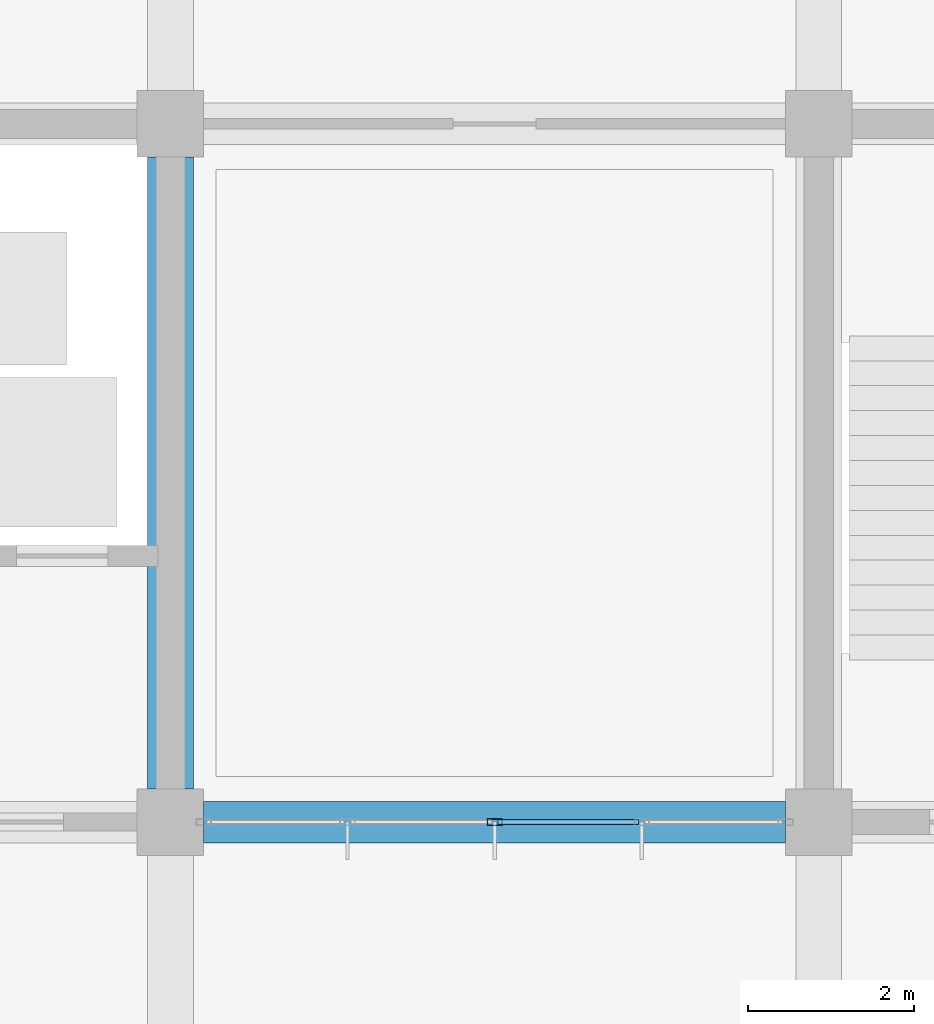
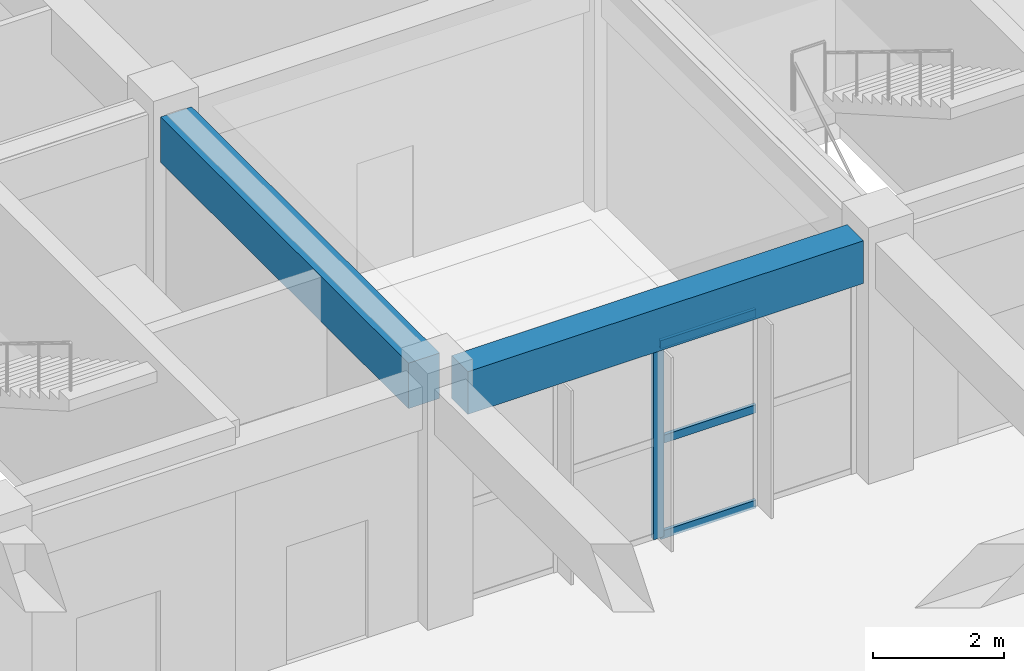
# One storey, part 16 of 139: 4 members, 2 beams, 1 element without a shape of its own.
"""IFC4 building model written with IfcOpenShell, lengths in metres."""

from ifc_helpers import new_model, si_unit, direction, frame, origin, origin_2d, place, context, subcontext, project, spatial, rectangle, hollow_rectangle, extrude, material, layer, layer_set, material_profile, profile_set, type_object, element, aggregate, save


model = new_model("IFC4")

# Units and contexts
model_context = context("Model", 3, precision=1e-05, world=origin(), true_north=direction((0.0, 1.0)))
body_context = subcontext(model_context, "Body", "Model", "MODEL_VIEW")
ifc_project = project(units=[si_unit("LENGTHUNIT", "METRE"), si_unit("AREAUNIT", "SQUARE_METRE"), si_unit("VOLUMEUNIT", "CUBIC_METRE"), si_unit("PLANEANGLEUNIT", "RADIAN"), si_unit("MASSUNIT", "GRAM", prefix="KILO")], contexts=[model_context])

# Site, building, storey
site_placement = place(None, origin())
site = spatial("IfcSite", under=ifc_project, at=site_placement, CompositionType="ELEMENT")
building_placement = place(site_placement, origin())
building = spatial("IfcBuilding", under=site, at=building_placement, Name="Zizhar Promenade General Hospital", CompositionType="ELEMENT")
storey_placement = place(building_placement, origin())
storey = spatial("IfcBuildingStorey", under=building, at=storey_placement, Name="L00", CompositionType="ELEMENT", Elevation=0.0)

# Beams
ifc_material_1 = material(Name="Concrete C35/45", Category="concrete")
ifc_material_profile_1 = material_profile(ifc_material_1, rectangle(XDim=0.5, YDim=0.800048828125, at=origin_2d()))
ifc_profile_set_1 = profile_set([ifc_material_profile_1], Name="Concrete C35/45")
beam_type_1 = type_object("IfcBeamType", Name="BM-RC-500x800", PredefinedType="BEAM", material=ifc_profile_set_1)
beam_1_placement = place(storey_placement, frame((86.199951171875, 8.39990234375, 4.070068359375), z_axis=(1.0, 0.0, 0.0), x_axis=(0.0, 1.0, 0.0)))
element("IfcBeam", 1, at=beam_1_placement, inside=storey, type_object=beam_type_1, Name="Grid Beam X L00 (11-1)", PredefinedType="BEAM", context=body_context, shape_type="SweptSolid", body=[
    extrude(rectangle(XDim=0.5, YDim=0.800048828125, at=origin_2d()), origin(), (0.0, 0.0, 1.0), 7.0),
])
ifc_material_2 = material(Name="Concrete C35/45", Category="concrete")
ifc_material_profile_2 = material_profile(ifc_material_2, rectangle(XDim=0.550048828125, YDim=0.85009765625, at=origin_2d()))
ifc_profile_set_2 = profile_set([ifc_material_profile_2], Name="Concrete C35/45")
beam_type_2 = type_object("IfcBeamType", Name="BM-RC-550x850", PredefinedType="BEAM", material=ifc_profile_set_2)
beam_2_placement = place(storey_placement, frame((85.800048828125, 8.800048828125, 4.044921875), z_axis=(0.0, 1.0, 0.0), x_axis=(-1.0, 0.0, 0.0)))
element("IfcBeam", 2, at=beam_2_placement, inside=storey, type_object=beam_type_2, Name="Grid Beam Y L00 (11-1)", PredefinedType="BEAM", context=body_context, shape_type="SweptSolid", body=[
    extrude(rectangle(XDim=0.550048828125, YDim=0.85009765625, at=origin_2d()), origin(), (0.0, 0.0, 1.0), 7.599853515625),
])

# Curtain wall, members
ifc_material_3 = material(Name="Anodised aluminium 6063-T6 and low-E glass", Category="aluminium")
ifc_layer = layer(ifc_material_3, 0.159912109375)
ifc_layer_set = layer_set([ifc_layer], Name="Anodised aluminium 6063-T6 and low-E glass")
curtain_wall_type = type_object("IfcCurtainWallType", Name="CW-HALL-S", PredefinedType="NOTDEFINED", material=ifc_layer_set)
curtain_wall_placement = place(storey_placement, origin())
curtain_wall = element("IfcCurtainWall", 3, at=curtain_wall_placement, inside=storey, type_object=curtain_wall_type, Name="Promenade Colonnade Curtain Wall Bay 10", PredefinedType="NOTDEFINED")
ifc_material_4 = material(Name="Anodised aluminium 6063-T6", Category="aluminium")
ifc_material_profile_3 = material_profile(ifc_material_4, hollow_rectangle(XDim=0.080078125, YDim=0.179931640625, WallThickness=0.0048828125, at=origin_2d()))
ifc_profile_set_3 = profile_set([ifc_material_profile_3], Name="Anodised aluminium 6063-T6")
member_type_1 = type_object("IfcMemberType", Name="CWM-ALU-180x80", PredefinedType="MULLION", material=ifc_profile_set_3)
member_1_placement = place(storey_placement, frame((89.699951171875, 8.39990234375, 0.0), z_axis=(0.0, 0.0, 1.0), x_axis=(0.0, -1.0, 0.0)))
member_1 = element("IfcMember", 4, at=member_1_placement, type_object=member_type_1, Name="CW-01 mullion 3", PredefinedType="MULLION", context=body_context, shape_type="SweptSolid", body=[
    extrude(hollow_rectangle(XDim=0.080078125, YDim=0.179931640625, WallThickness=0.0048828125, at=origin_2d()), origin(), (0.0, 0.0, 1.0), 3.6298828125),
])
ifc_material_5 = material(Name="Anodised aluminium 6063-T6", Category="aluminium")
ifc_material_profile_4 = material_profile(ifc_material_5, hollow_rectangle(XDim=0.06005859375, YDim=0.14990234375, WallThickness=0.00390625, at=origin_2d()))
ifc_profile_set_4 = profile_set([ifc_material_profile_4], Name="Anodised aluminium 6063-T6")
member_type_2 = type_object("IfcMemberType", Name="CWT-ALU-150x60", PredefinedType="USERDEFINED", material=ifc_profile_set_4)
member_2_placement = place(storey_placement, frame((91.429931640625, 8.39990234375, 0.030029296875), z_axis=(-1.0, 0.0, 0.0), x_axis=(0.0, -1.0, 0.0)))
member_2 = element("IfcMember", 5, at=member_2_placement, type_object=member_type_2, Name="CW-01 transom 2.1", ObjectType="TRANSOM", PredefinedType="USERDEFINED", context=body_context, shape_type="SweptSolid", body=[
    extrude(hollow_rectangle(XDim=0.06005859375, YDim=0.14990234375, WallThickness=0.00390625, at=origin_2d()), origin(), (0.0, 0.0, 1.0), 1.68994140625),
])
member_3_placement = place(storey_placement, frame((91.429931640625, 8.39990234375, 1.81494140625), z_axis=(-1.0, 0.0, 0.0), x_axis=(0.0, -1.0, 0.0)))
member_3 = element("IfcMember", 6, at=member_3_placement, type_object=member_type_2, Name="CW-01 transom 2.2", ObjectType="TRANSOM", PredefinedType="USERDEFINED", context=body_context, shape_type="SweptSolid", body=[
    extrude(hollow_rectangle(XDim=0.06005859375, YDim=0.14990234375, WallThickness=0.00390625, at=origin_2d()), origin(), (0.0, 0.0, 1.0), 1.68994140625),
])
member_4_placement = place(storey_placement, frame((91.429931640625, 8.39990234375, 3.60009765625), z_axis=(-1.0, 0.0, 0.0), x_axis=(0.0, -1.0, 0.0)))
member_4 = element("IfcMember", 7, at=member_4_placement, type_object=member_type_2, Name="CW-01 transom 2.3", ObjectType="TRANSOM", PredefinedType="USERDEFINED", context=body_context, shape_type="SweptSolid", body=[
    extrude(hollow_rectangle(XDim=0.06005859375, YDim=0.14990234375, WallThickness=0.00390625, at=origin_2d()), origin(), (0.0, 0.0, 1.0), 1.68994140625),
])
aggregate(curtain_wall, [member_1, member_2, member_3, member_4])

save(model, "model.ifc")
